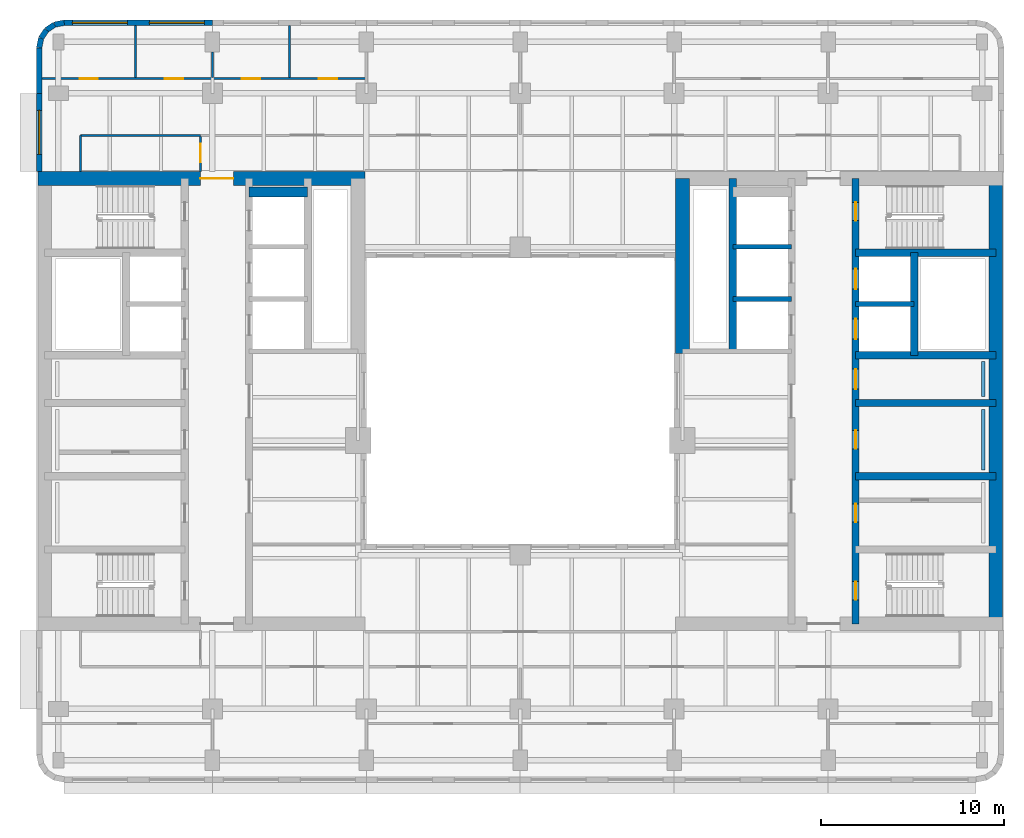
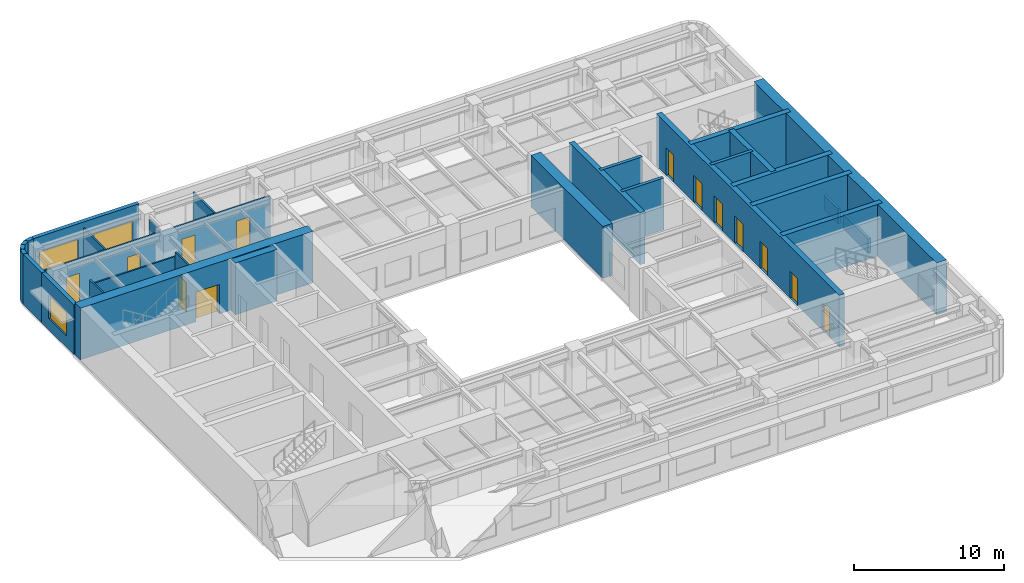
# One storey, part 6 of 11: 30 walls, 13 doors, 3 windows, 16 openings.
"""IFC4 building model written with IfcOpenShell, lengths in metres."""

from ifc_helpers import new_model, si_unit, direction, frame, frame_2d, origin, place, context, subcontext, project, spatial, rectangle, extrude, material, layer, layer_set, type_object, element, fill, save


model = new_model("IFC4")

# Units and contexts
model_context = context("Model", 3, precision=1e-05, world=origin(), true_north=direction((0.0, 1.0)))
body_context = subcontext(model_context, "Body", "Model", "MODEL_VIEW")
ifc_project = project(units=[si_unit("LENGTHUNIT", "METRE"), si_unit("AREAUNIT", "SQUARE_METRE"), si_unit("VOLUMEUNIT", "CUBIC_METRE"), si_unit("PLANEANGLEUNIT", "RADIAN"), si_unit("MASSUNIT", "GRAM", prefix="KILO")], contexts=[model_context])

# Site, building, storey
site_placement = place(None, origin())
site = spatial("IfcSite", under=ifc_project, at=site_placement, CompositionType="ELEMENT")
building_placement = place(site_placement, origin())
building = spatial("IfcBuilding", under=site, at=building_placement, Name="Claustro Exchange Tower", CompositionType="ELEMENT")
storey_placement = place(building_placement, frame((0.0, 0.0, 198.60009765625)))
storey = spatial("IfcBuildingStorey", under=building, at=storey_placement, Name="L45", CompositionType="ELEMENT", Elevation=198.60009765625)

# Wall, openings, doors
ifc_material_1 = material(Name="Laminated glass in aluminium frame", Category="aluminium")
ifc_layer_1 = layer(ifc_material_1, 0.1201171875)
ifc_layer_set_1 = layer_set([ifc_layer_1], Name="Laminated glass in aluminium frame")
wall_type_1 = type_object("IfcWallType", Name="P2 120 glazed partition", PredefinedType="PARTITIONING", material=ifc_layer_set_1)
wall_1_placement = place(storey_placement, frame((-0.902099609375, 42.800048828125, 0.0), z_axis=(0.0, 0.0, 1.0), x_axis=(1.0, 0.0, 0.0)))
wall_1 = element("IfcWall", 1, at=wall_1_placement, inside=storey, type_object=wall_type_1, Name="Partition P2 L45", PredefinedType="PARTITIONING", context=body_context, shape_type="SweptSolid", body=[
    extrude(rectangle(XDim=17.7021484375, YDim=0.1201171875, at=frame_2d((8.85107421875, 0.0))), origin(), (0.0, 0.0, 1.0), 3.559814453125),
])
opening_1_placement = place(wall_1_placement, frame((2.052001953125, 0.0, 0.0)))
opening_1 = element("IfcOpeningElement", 2, at=opening_1_placement, cuts=wall_1, Name="Opening D7", PredefinedType="OPENING", context=body_context, shape_type="SweptSolid", body=[
    extrude(rectangle(XDim=1.0, YDim=2.39990234375, at=frame_2d((0.5, 1.199951171875))), frame((0.0, 0.070068359375, 0.0), z_axis=(0.0, -1.0, 0.0), x_axis=(1.0, 0.0, 0.0)), (0.0, 0.0, 1.0), 0.14013671875),
])
opening_2_placement = place(wall_1_placement, frame((6.701904296875, 0.0, 0.0)))
opening_2 = element("IfcOpeningElement", 3, at=opening_2_placement, cuts=wall_1, Name="Opening D7", PredefinedType="OPENING", context=body_context, shape_type="SweptSolid", body=[
    extrude(rectangle(XDim=1.0, YDim=2.39990234375, at=frame_2d((0.5, 1.199951171875))), frame((0.0, 0.070068359375, 0.0), z_axis=(0.0, -1.0, 0.0), x_axis=(1.0, 0.0, 0.0)), (0.0, 0.0, 1.0), 0.14013671875),
])
opening_3_placement = place(wall_1_placement, frame((10.902099609375, 0.0, 0.0)))
opening_3 = element("IfcOpeningElement", 4, at=opening_3_placement, cuts=wall_1, Name="Opening D7", PredefinedType="OPENING", context=body_context, shape_type="SweptSolid", body=[
    extrude(rectangle(XDim=1.0, YDim=2.39990234375, at=frame_2d((0.5, 1.199951171875))), frame((0.0, 0.070068359375, 0.0), z_axis=(0.0, -1.0, 0.0), x_axis=(1.0, 0.0, 0.0)), (0.0, 0.0, 1.0), 0.14013671875),
])
opening_4_placement = place(wall_1_placement, frame((15.10205078125, 0.0, 0.0)))
opening_4 = element("IfcOpeningElement", 5, at=opening_4_placement, cuts=wall_1, Name="Opening D7", PredefinedType="OPENING", context=body_context, shape_type="SweptSolid", body=[
    extrude(rectangle(XDim=1.0, YDim=2.39990234375, at=frame_2d((0.5, 1.199951171875))), frame((0.0, 0.070068359375, 0.0), z_axis=(0.0, -1.0, 0.0), x_axis=(1.0, 0.0, 0.0)), (0.0, 0.0, 1.0), 0.14013671875),
])
ifc_material_2 = material(Name="Glass door in aluminium frame", Category="aluminium")
door_type_1 = type_object("IfcDoorType", Name="D7 1000 x 2400 glazed door", OperationType="SINGLE_SWING_LEFT", PredefinedType="DOOR", material=ifc_material_2)
door_1_placement = place(opening_1_placement, origin())
door_1 = element("IfcDoor", 6, at=door_1_placement, inside=storey, type_object=door_type_1, Name="Door D7 L45", OperationType="SINGLE_SWING_RIGHT", OverallHeight=2.39990234375, OverallWidth=1.0, PredefinedType="DOOR", context=body_context, shape_type="SweptSolid", body=[
    extrude(rectangle(XDim=1.0, YDim=2.39990234375, at=frame_2d((0.5, 1.199951171875))), frame((0.0, 0.02490234375, 0.0), z_axis=(0.0, -1.0, 0.0), x_axis=(1.0, 0.0, 0.0)), (0.0, 0.0, 1.0), 0.050048828125),
])
fill(opening_1, door_1)
door_2_placement = place(opening_2_placement, origin())
door_2 = element("IfcDoor", 7, at=door_2_placement, inside=storey, type_object=door_type_1, Name="Door D7 L45", OperationType="SINGLE_SWING_LEFT", OverallHeight=2.39990234375, OverallWidth=1.0, PredefinedType="DOOR", context=body_context, shape_type="SweptSolid", body=[
    extrude(rectangle(XDim=1.0, YDim=2.39990234375, at=frame_2d((0.5, 1.199951171875))), frame((0.0, 0.02490234375, 0.0), z_axis=(0.0, -1.0, 0.0), x_axis=(1.0, 0.0, 0.0)), (0.0, 0.0, 1.0), 0.050048828125),
])
fill(opening_2, door_2)
door_3_placement = place(opening_3_placement, origin())
door_3 = element("IfcDoor", 8, at=door_3_placement, inside=storey, type_object=door_type_1, Name="Door D7 L45", OperationType="SINGLE_SWING_LEFT", OverallHeight=2.39990234375, OverallWidth=1.0, PredefinedType="DOOR", context=body_context, shape_type="SweptSolid", body=[
    extrude(rectangle(XDim=1.0, YDim=2.39990234375, at=frame_2d((0.5, 1.199951171875))), frame((0.0, 0.02490234375, 0.0), z_axis=(0.0, -1.0, 0.0), x_axis=(1.0, 0.0, 0.0)), (0.0, 0.0, 1.0), 0.050048828125),
])
fill(opening_3, door_3)
door_4_placement = place(opening_4_placement, origin())
door_4 = element("IfcDoor", 9, at=door_4_placement, inside=storey, type_object=door_type_1, Name="Door D7 L45", OperationType="SINGLE_SWING_LEFT", OverallHeight=2.39990234375, OverallWidth=1.0, PredefinedType="DOOR", context=body_context, shape_type="SweptSolid", body=[
    extrude(rectangle(XDim=1.0, YDim=2.39990234375, at=frame_2d((0.5, 1.199951171875))), frame((0.0, 0.02490234375, 0.0), z_axis=(0.0, -1.0, 0.0), x_axis=(1.0, 0.0, 0.0)), (0.0, 0.0, 1.0), 0.050048828125),
])
fill(opening_4, door_4)

# Walls
wall_2_placement = place(storey_placement, frame((4.199951171875, 42.85791015625, 0.0), z_axis=(0.0, 0.0, 1.0), x_axis=(0.0, 1.0, 0.0)))
element("IfcWall", 10, at=wall_2_placement, inside=storey, type_object=wall_type_1, Name="Partition P2 L45", PredefinedType="PARTITIONING", context=body_context, shape_type="SweptSolid", body=[
    extrude(rectangle(XDim=2.843994140625, YDim=0.1201171875, at=frame_2d((1.421875, 0.0))), origin(), (0.0, 0.0, 1.0), 3.559814453125),
])
wall_3_placement = place(storey_placement, frame((8.39990234375, 42.85791015625, 0.0), z_axis=(0.0, 0.0, 1.0), x_axis=(0.0, 1.0, 0.0)))
element("IfcWall", 11, at=wall_3_placement, inside=storey, type_object=wall_type_1, Name="Partition P2 L45", PredefinedType="PARTITIONING", context=body_context, shape_type="SweptSolid", body=[
    extrude(rectangle(XDim=1.39306640625, YDim=0.1201171875, at=frame_2d((0.696533203125, 0.0))), origin(), (0.0, 0.0, 1.0), 3.68994140625),
])
wall_4_placement = place(storey_placement, frame((12.60009765625, 42.85791015625, 0.0), z_axis=(0.0, 0.0, 1.0), x_axis=(0.0, 1.0, 0.0)))
element("IfcWall", 12, at=wall_4_placement, inside=storey, type_object=wall_type_1, Name="Partition P2 L45", PredefinedType="PARTITIONING", context=body_context, shape_type="SweptSolid", body=[
    extrude(rectangle(XDim=2.843994140625, YDim=0.1201171875, at=frame_2d((1.421875, 0.0))), origin(), (0.0, 0.0, 1.0), 3.559814453125),
])

# Wall, opening, door
wall_5_placement = place(storey_placement, frame((7.75, 37.72412109375, 0.0), z_axis=(0.0, 0.0, 1.0), x_axis=(0.0, 1.0, 0.0)))
wall_5 = element("IfcWall", 13, at=wall_5_placement, inside=storey, type_object=wall_type_1, Name="Partition P2 L45", PredefinedType="PARTITIONING", context=body_context, shape_type="SweptSolid", body=[
    extrude(rectangle(XDim=1.91796875, YDim=0.1201171875, at=frame_2d((0.958984375, 0.0))), origin(), (0.0, 0.0, 1.0), 4.0498046875),
])
opening_5_placement = place(wall_5_placement, frame((0.52587890625, 0.0, 0.0)))
opening_5 = element("IfcOpeningElement", 14, at=opening_5_placement, cuts=wall_5, Name="Opening D7", PredefinedType="OPENING", context=body_context, shape_type="SweptSolid", body=[
    extrude(rectangle(XDim=1.0, YDim=2.39990234375, at=frame_2d((0.5, 1.199951171875))), frame((0.0, 0.070068359375, 0.0), z_axis=(0.0, -1.0, 0.0), x_axis=(1.0, 0.0, 0.0)), (0.0, 0.0, 1.0), 0.14013671875),
])
door_5_placement = place(opening_5_placement, origin())
door_5 = element("IfcDoor", 15, at=door_5_placement, inside=storey, type_object=door_type_1, Name="Door D7 L45", OperationType="SINGLE_SWING_LEFT", OverallHeight=2.39990234375, OverallWidth=1.0, PredefinedType="DOOR", context=body_context, shape_type="SweptSolid", body=[
    extrude(rectangle(XDim=1.0, YDim=2.39990234375, at=frame_2d((0.5, 1.199951171875))), frame((0.0, 0.02490234375, 0.0), z_axis=(0.0, -1.0, 0.0), x_axis=(1.0, 0.0, 0.0)), (0.0, 0.0, 1.0), 0.050048828125),
])
fill(opening_5, door_5)

# Walls
wall_6_placement = place(storey_placement, frame((1.199951171875, 39.699951171875, 0.0), z_axis=(0.0, 0.0, 1.0), x_axis=(1.0, 0.0, 0.0)))
element("IfcWall", 16, at=wall_6_placement, inside=storey, type_object=wall_type_1, Name="Partition P2 L45", PredefinedType="PARTITIONING", context=body_context, shape_type="SweptSolid", body=[
    extrude(rectangle(XDim=6.552001953125, YDim=0.1201171875, at=frame_2d((3.27587890625, 0.0))), origin(), (0.0, 0.0, 1.0), 3.68994140625),
])
wall_7_placement = place(storey_placement, frame((1.199951171875, 37.72412109375, 0.0), z_axis=(0.0, 0.0, 1.0), x_axis=(0.0, 1.0, 0.0)))
element("IfcWall", 17, at=wall_7_placement, inside=storey, type_object=wall_type_1, Name="Partition P2 L45", PredefinedType="PARTITIONING", context=body_context, shape_type="SweptSolid", body=[
    extrude(rectangle(XDim=1.975830078125, YDim=0.1201171875, at=frame_2d((0.98779296875, 0.0))), origin(), (0.0, 0.0, 1.0), 4.0498046875),
])

# Wall, opening, window
ifc_material_3 = material(Name="Concrete HA-40 (C40/50), precast, white cement, acid-etched", Category="concrete")
ifc_layer_2 = layer(ifc_material_3, 0.300048828125)
ifc_layer_set_2 = layer_set([ifc_layer_2], Name="Concrete HA-40 (C40/50), precast, white cement, acid-etched")
wall_type_2 = type_object("IfcWallType", Name="PC1 300 precast concrete pier panel", PredefinedType="SOLIDWALL", material=ifc_layer_set_2)
wall_8_placement = place(storey_placement, frame((-1.050048828125, 37.72509765625, 0.0), z_axis=(0.0, 0.0, 1.0), x_axis=(0.0, 1.0, 0.0)))
wall_8 = element("IfcWall", 18, at=wall_8_placement, inside=storey, type_object=wall_type_2, Name="Precast pier panel PC1 L45", PredefinedType="SOLIDWALL", context=body_context, shape_type="SweptSolid", body=[
    extrude(rectangle(XDim=4.27490234375, YDim=0.300048828125, at=frame_2d((2.137451171875, 0.0))), origin(), (0.0, 0.0, 1.0), 4.0498046875),
])
opening_6_placement = place(wall_8_placement, frame((0.9375, 0.0, 0.89990234375)))
opening_6 = element("IfcOpeningElement", 19, at=opening_6_placement, cuts=wall_8, Name="Opening W2", PredefinedType="OPENING", context=body_context, shape_type="SweptSolid", body=[
    extrude(rectangle(XDim=2.39990234375, YDim=1.89990234375, at=frame_2d((1.199951171875, 0.949951171875))), frame((0.0, 0.159912109375, 0.0), z_axis=(0.0, -1.0, 0.0), x_axis=(1.0, 0.0, 0.0)), (0.0, 0.0, 1.0), 0.320068359375),
])
ifc_material_4 = material(Name="Aluminium frame, clear double glazing", Category="aluminium")
window_type_1 = type_object("IfcWindowType", Name="W2 2400 x 1900 window", PartitioningType="SINGLE_PANEL", PredefinedType="WINDOW", material=ifc_material_4)
window_1_placement = place(opening_6_placement, origin())
window_1 = element("IfcWindow", 20, at=window_1_placement, inside=storey, type_object=window_type_1, Name="Window W2 L45", OverallHeight=1.89990234375, OverallWidth=2.39990234375, PartitioningType="SINGLE_PANEL", PredefinedType="WINDOW", context=body_context, shape_type="SweptSolid", body=[
    extrude(rectangle(XDim=2.39990234375, YDim=1.89990234375, at=frame_2d((1.199951171875, 0.949951171875))), frame((0.0, 0.030029296875, 0.0), z_axis=(0.0, -1.0, 0.0), x_axis=(1.0, 0.0, 0.0)), (0.0, 0.0, 1.0), 0.06005859375),
])
fill(opening_6, window_1)

# Walls
wall_9_placement = place(storey_placement, frame((-1.050048828125, 42.0, 0.0), z_axis=(0.0, 0.0, 1.0), x_axis=(0.0, 1.0, 0.0)))
element("IfcWall", 21, at=wall_9_placement, inside=storey, type_object=wall_type_2, Name="Precast pier panel PC1 L45", PredefinedType="SOLIDWALL", context=body_context, shape_type="SweptSolid", body=[
    extrude(rectangle(XDim=2.485107421875, YDim=0.300048828125, at=frame_2d((1.24267578125, 0.0))), origin(), (0.0, 0.0, 1.0), 4.0498046875),
])
wall_10_placement = place(storey_placement, frame((-1.050048828125, 44.485107421875, 0.0), z_axis=(0.0, 0.0, 1.0), x_axis=(0.195073962632, 0.980788534345, 0.0)))
element("IfcWall", 22, at=wall_10_placement, inside=storey, type_object=wall_type_2, Name="Precast pier panel PC1 L45", PredefinedType="SOLIDWALL", context=body_context, shape_type="SweptSolid", body=[
    extrude(rectangle(XDim=0.540771484375, YDim=0.300048828125, at=frame_2d((0.2705078125, 0.0))), origin(), (0.0, 0.0, 1.0), 4.0498046875),
])
wall_11_placement = place(storey_placement, frame((-0.944580078125, 45.015380859375, 0.0), z_axis=(0.0, 0.0, 1.0), x_axis=(0.55534295404, 0.831621430339, 0.0)))
element("IfcWall", 23, at=wall_11_placement, inside=storey, type_object=wall_type_2, Name="Precast pier panel PC1 L45", PredefinedType="SOLIDWALL", context=body_context, shape_type="SweptSolid", body=[
    extrude(rectangle(XDim=0.52587890625, YDim=0.300048828125, at=frame_2d((0.262939453125, 0.0))), origin(), (0.0, 0.0, 1.0), 4.0498046875),
])
wall_12_placement = place(storey_placement, frame((-0.652587890625, 45.45263671875, 0.0), z_axis=(0.0, 0.0, 1.0), x_axis=(0.831692711774, 0.555236195849, 0.0)))
element("IfcWall", 24, at=wall_12_placement, inside=storey, type_object=wall_type_2, Name="Precast pier panel PC1 L45", PredefinedType="SOLIDWALL", context=body_context, shape_type="SweptSolid", body=[
    extrude(rectangle(XDim=0.525390625, YDim=0.300048828125, at=frame_2d((0.2626953125, 0.0))), origin(), (0.0, 0.0, 1.0), 4.0498046875),
])
wall_13_placement = place(storey_placement, frame((-0.215576171875, 45.744384765625, 0.0), z_axis=(0.0, 0.0, 1.0), x_axis=(0.980702050465, 0.1955082817, 0.0)))
element("IfcWall", 25, at=wall_13_placement, inside=storey, type_object=wall_type_2, Name="Precast pier panel PC1 L45", PredefinedType="SOLIDWALL", context=body_context, shape_type="SweptSolid", body=[
    extrude(rectangle(XDim=0.540771484375, YDim=0.300048828125, at=frame_2d((0.2705078125, 0.0))), origin(), (0.0, 0.0, 1.0), 4.0498046875),
])

# Wall, openings, windows
wall_14_placement = place(storey_placement, frame((0.314697265625, 45.85009765625, 0.0), z_axis=(0.0, 0.0, 1.0), x_axis=(1.0, 0.0, 0.0)))
wall_14 = element("IfcWall", 26, at=wall_14_placement, inside=storey, type_object=wall_type_2, Name="Precast pier panel PC1 L45", PredefinedType="SOLIDWALL", context=body_context, shape_type="SweptSolid", body=[
    extrude(rectangle(XDim=8.085205078125, YDim=0.300048828125, at=frame_2d((4.04248046875, 0.0))), origin(), (0.0, 0.0, 1.0), 4.0498046875),
])
opening_7_placement = place(wall_14_placement, frame((0.442626953125, 0.0, 0.89990234375)))
opening_7 = element("IfcOpeningElement", 27, at=opening_7_placement, cuts=wall_14, Name="Opening W1", PredefinedType="OPENING", context=body_context, shape_type="SweptSolid", body=[
    extrude(rectangle(XDim=3.0, YDim=1.89990234375, at=frame_2d((1.5, 0.949951171875))), frame((0.0, 0.159912109375, 0.0), z_axis=(0.0, -1.0, 0.0), x_axis=(1.0, 0.0, 0.0)), (0.0, 0.0, 1.0), 0.320068359375),
])
opening_8_placement = place(wall_14_placement, frame((4.642578125, 0.0, 0.89990234375)))
opening_8 = element("IfcOpeningElement", 28, at=opening_8_placement, cuts=wall_14, Name="Opening W1", PredefinedType="OPENING", context=body_context, shape_type="SweptSolid", body=[
    extrude(rectangle(XDim=3.0, YDim=1.89990234375, at=frame_2d((1.5, 0.949951171875))), frame((0.0, 0.159912109375, 0.0), z_axis=(0.0, -1.0, 0.0), x_axis=(1.0, 0.0, 0.0)), (0.0, 0.0, 1.0), 0.320068359375),
])
ifc_material_5 = material(Name="Aluminium frame, clear double glazing", Category="aluminium")
window_type_2 = type_object("IfcWindowType", Name="W1 3000 x 1900 window", PartitioningType="SINGLE_PANEL", PredefinedType="WINDOW", material=ifc_material_5)
window_2_placement = place(opening_7_placement, origin())
window_2 = element("IfcWindow", 29, at=window_2_placement, inside=storey, type_object=window_type_2, Name="Window W1 L45", OverallHeight=1.89990234375, OverallWidth=3.0, PartitioningType="SINGLE_PANEL", PredefinedType="WINDOW", context=body_context, shape_type="SweptSolid", body=[
    extrude(rectangle(XDim=3.0, YDim=1.89990234375, at=frame_2d((1.5, 0.949951171875))), frame((0.0, 0.030029296875, 0.0), z_axis=(0.0, -1.0, 0.0), x_axis=(1.0, 0.0, 0.0)), (0.0, 0.0, 1.0), 0.06005859375),
])
fill(opening_7, window_2)
window_3_placement = place(opening_8_placement, origin())
window_3 = element("IfcWindow", 30, at=window_3_placement, inside=storey, type_object=window_type_2, Name="Window W1 L45", OverallHeight=1.89990234375, OverallWidth=3.0, PartitioningType="SINGLE_PANEL", PredefinedType="WINDOW", context=body_context, shape_type="SweptSolid", body=[
    extrude(rectangle(XDim=3.0, YDim=1.89990234375, at=frame_2d((1.5, 0.949951171875))), frame((0.0, 0.030029296875, 0.0), z_axis=(0.0, -1.0, 0.0), x_axis=(1.0, 0.0, 0.0)), (0.0, 0.0, 1.0), 0.06005859375),
])
fill(opening_8, window_3)

# Walls
ifc_material_6 = material(Name="Gypsum board on steel studs, tiled", Category="steel")
ifc_layer_3 = layer(ifc_material_6, 0.199951171875)
ifc_layer_set_3 = layer_set([ifc_layer_3], Name="Gypsum board on steel studs, tiled")
wall_type_3 = type_object("IfcWallType", Name="PW1 200 WC duct wall", PredefinedType="PLUMBINGWALL", material=ifc_layer_set_3)
wall_15_placement = place(storey_placement, frame((50.47509765625, 21.449951171875, 0.0), z_axis=(0.0, 0.0, 1.0), x_axis=(0.0, 1.0, 0.0)))
element("IfcWall", 31, at=wall_15_placement, inside=storey, type_object=wall_type_3, Name="WC duct wall PW1 L45", PredefinedType="PLUMBINGWALL", context=body_context, shape_type="SweptSolid", body=[
    extrude(rectangle(XDim=3.300048828125, YDim=0.199951171875, at=frame_2d((1.64990234375, 0.0))), origin(), (0.0, 0.0, 1.0), 1.199951171875),
])
wall_16_placement = place(storey_placement, frame((50.47509765625, 25.449951171875, 0.0), z_axis=(0.0, 0.0, 1.0), x_axis=(0.0, 1.0, 0.0)))
element("IfcWall", 32, at=wall_16_placement, inside=storey, type_object=wall_type_3, Name="WC duct wall PW1 L45", PredefinedType="PLUMBINGWALL", context=body_context, shape_type="SweptSolid", body=[
    extrude(rectangle(XDim=1.900146484375, YDim=0.199951171875, at=frame_2d((0.9501953125, 0.0))), origin(), (0.0, 0.0, 1.0), 1.199951171875),
])

# Wall, opening, door
ifc_material_7 = material(Name="Concrete HA-70 (C70/85)", Category="concrete")
ifc_layer_4 = layer(ifc_material_7, 0.75)
ifc_layer_set_4 = layer_set([ifc_layer_4], Name="Concrete HA-70 (C70/85)")
wall_type_4 = type_object("IfcWallType", Name="SW2 750 core shear wall", PredefinedType="SHEAR", material=ifc_layer_set_4)
wall_17_placement = place(storey_placement, frame((-1.125, 37.35009765625, 0.0), z_axis=(0.0, 0.0, 1.0), x_axis=(1.0, 0.0, 0.0)))
wall_17 = element("IfcWall", 33, at=wall_17_placement, inside=storey, type_object=wall_type_4, Name="Core wall SW2 W core N face L45", PredefinedType="SHEAR", context=body_context, shape_type="SweptSolid", body=[
    extrude(rectangle(XDim=17.85009765625, YDim=0.75, at=frame_2d((8.925048828125, 0.0))), origin(), (0.0, 0.0, 1.0), 4.199951171875),
])
opening_9_placement = place(wall_17_placement, frame((8.875, 0.0, 0.0)))
opening_9 = element("IfcOpeningElement", 34, at=opening_9_placement, cuts=wall_17, Name="Opening D3", PredefinedType="OPENING", context=body_context, shape_type="SweptSolid", body=[
    extrude(rectangle(XDim=1.800048828125, YDim=2.39990234375, at=frame_2d((0.89990234375, 1.199951171875))), frame((0.0, 0.385009765625, 0.0), z_axis=(0.0, -1.0, 0.0), x_axis=(1.0, 0.0, 0.0)), (0.0, 0.0, 1.0), 0.77001953125),
])
ifc_material_8 = material(Name="Steel fire door, painted", Category="steel")
door_type_2 = type_object("IfcDoorType", Name="D3 1800 x 2400 fire-rated lobby double door", OperationType="DOUBLE_DOOR_SINGLE_SWING", PredefinedType="DOOR", material=ifc_material_8)
door_6_placement = place(opening_9_placement, frame((1.800048828125, 0.0, 0.0), z_axis=(0.0, 0.0, 1.0), x_axis=(-1.0, 0.0, 0.0)))
door_6 = element("IfcDoor", 35, at=door_6_placement, inside=storey, type_object=door_type_2, Name="Lift lobby door D3 L45", OperationType="DOUBLE_DOOR_SINGLE_SWING", OverallHeight=2.39990234375, OverallWidth=1.800048828125, PredefinedType="DOOR", context=body_context, shape_type="SweptSolid", body=[
    extrude(rectangle(XDim=1.800048828125, YDim=2.39990234375, at=frame_2d((0.89990234375, 1.199951171875))), frame((0.0, 0.02490234375, 0.0), z_axis=(0.0, -1.0, 0.0), x_axis=(1.0, 0.0, 0.0)), (0.0, 0.0, 1.0), 0.050048828125),
])
fill(opening_9, door_6)

# Walls
ifc_material_9 = material(Name="Concrete HA-70 (C70/85)", Category="concrete")
ifc_layer_5 = layer(ifc_material_9, 0.75)
ifc_layer_set_5 = layer_set([ifc_layer_5], Name="Concrete HA-70 (C70/85)")
wall_type_5 = type_object("IfcWallType", Name="SW2X 750 exposed core shear wall, board-marked face", PredefinedType="SHEAR", material=ifc_layer_set_5)
wall_18_placement = place(storey_placement, frame((34.050048828125, 27.800048828125, 0.0), z_axis=(0.0, 0.0, 1.0), x_axis=(0.0, 1.0, 0.0)))
element("IfcWall", 36, at=wall_18_placement, inside=storey, type_object=wall_type_5, Name="Core wall SW2X E core W face L45", PredefinedType="SHEAR", context=body_context, shape_type="SweptSolid", body=[
    extrude(rectangle(XDim=9.550048828125, YDim=0.75, at=frame_2d((4.77490234375, 0.0))), origin(), (0.0, 0.0, 1.0), 4.199951171875),
])
wall_19_placement = place(storey_placement, frame((51.14990234375, 13.050048828125, 0.0), z_axis=(0.0, 0.0, 1.0), x_axis=(0.0, 1.0, 0.0)))
element("IfcWall", 37, at=wall_19_placement, inside=storey, type_object=wall_type_5, Name="Core wall SW2X E core E face L45", PredefinedType="SHEAR", context=body_context, shape_type="SweptSolid", body=[
    extrude(rectangle(XDim=24.300048828125, YDim=0.75, at=frame_2d((12.14990234375, 0.0))), origin(), (0.0, 0.0, 1.0), 4.199951171875),
])

# Wall, openings, doors
ifc_material_10 = material(Name="Concrete HA-50 (C50/60)", Category="concrete")
ifc_layer_6 = layer(ifc_material_10, 0.39990234375)
ifc_layer_set_6 = layer_set([ifc_layer_6], Name="Concrete HA-50 (C50/60)")
wall_type_6 = type_object("IfcWallType", Name="SW4 400 internal core wall", PredefinedType="SHEAR", material=ifc_layer_set_6)
wall_20_placement = place(storey_placement, frame((43.5, 13.050048828125, 0.0), z_axis=(0.0, 0.0, 1.0), x_axis=(0.0, 1.0, 0.0)))
wall_20 = element("IfcWall", 38, at=wall_20_placement, inside=storey, type_object=wall_type_6, Name="Internal core wall SW4 E core L45", PredefinedType="SHEAR", context=body_context, shape_type="SweptSolid", body=[
    extrude(rectangle(XDim=24.300048828125, YDim=0.39990234375, at=frame_2d((12.14990234375, 0.0))), origin(), (0.0, 0.0, 1.0), 4.199951171875),
])
opening_10_placement = place(wall_20_placement, frame((1.300048828125, 0.0, 0.0)))
opening_10 = element("IfcOpeningElement", 39, at=opening_10_placement, cuts=wall_20, Name="Opening D4", PredefinedType="OPENING", context=body_context, shape_type="SweptSolid", body=[
    extrude(rectangle(XDim=1.0, YDim=2.199951171875, at=frame_2d((0.5, 1.10009765625))), frame((0.0, 0.2099609375, 0.0), z_axis=(0.0, -1.0, 0.0), x_axis=(1.0, 0.0, 0.0)), (0.0, 0.0, 1.0), 0.419921875),
])
opening_11_placement = place(wall_20_placement, frame((22.0, 0.0, 0.0)))
opening_11 = element("IfcOpeningElement", 40, at=opening_11_placement, cuts=wall_20, Name="Opening D4", PredefinedType="OPENING", context=body_context, shape_type="SweptSolid", body=[
    extrude(rectangle(XDim=1.0, YDim=2.199951171875, at=frame_2d((0.5, 1.10009765625))), frame((0.0, 0.2099609375, 0.0), z_axis=(0.0, -1.0, 0.0), x_axis=(1.0, 0.0, 0.0)), (0.0, 0.0, 1.0), 0.419921875),
])
opening_12_placement = place(wall_20_placement, frame((5.550048828125, 0.0, 0.0)))
opening_12 = element("IfcOpeningElement", 41, at=opening_12_placement, cuts=wall_20, Name="Opening D1", PredefinedType="OPENING", context=body_context, shape_type="SweptSolid", body=[
    extrude(rectangle(XDim=1.0, YDim=2.199951171875, at=frame_2d((0.5, 1.10009765625))), frame((0.0, 0.2099609375, 0.0), z_axis=(0.0, -1.0, 0.0), x_axis=(1.0, 0.0, 0.0)), (0.0, 0.0, 1.0), 0.419921875),
])
opening_13_placement = place(wall_20_placement, frame((9.550048828125, 0.0, 0.0)))
opening_13 = element("IfcOpeningElement", 42, at=opening_13_placement, cuts=wall_20, Name="Opening D1", PredefinedType="OPENING", context=body_context, shape_type="SweptSolid", body=[
    extrude(rectangle(XDim=1.0, YDim=2.199951171875, at=frame_2d((0.5, 1.10009765625))), frame((0.0, 0.2099609375, 0.0), z_axis=(0.0, -1.0, 0.0), x_axis=(1.0, 0.0, 0.0)), (0.0, 0.0, 1.0), 0.419921875),
])
opening_14_placement = place(wall_20_placement, frame((12.800048828125, 0.0, 0.0)))
opening_14 = element("IfcOpeningElement", 43, at=opening_14_placement, cuts=wall_20, Name="Opening D10", PredefinedType="OPENING", context=body_context, shape_type="SweptSolid", body=[
    extrude(rectangle(XDim=1.10009765625, YDim=2.199951171875, at=frame_2d((0.550048828125, 1.10009765625))), frame((0.0, 0.2099609375, 0.0), z_axis=(0.0, -1.0, 0.0), x_axis=(1.0, 0.0, 0.0)), (0.0, 0.0, 1.0), 0.419921875),
])
opening_15_placement = place(wall_20_placement, frame((15.53759765625, 0.0, 0.0)))
opening_15 = element("IfcOpeningElement", 44, at=opening_15_placement, cuts=wall_20, Name="Opening LD", PredefinedType="OPENING", context=body_context, shape_type="SweptSolid", body=[
    extrude(rectangle(XDim=1.10009765625, YDim=2.199951171875, at=frame_2d((0.550048828125, 1.10009765625))), frame((0.0, 0.2099609375, 0.0), z_axis=(0.0, -1.0, 0.0), x_axis=(1.0, 0.0, 0.0)), (0.0, 0.0, 1.0), 0.419921875),
])
opening_16_placement = place(wall_20_placement, frame((18.262451171875, 0.0, 0.0)))
opening_16 = element("IfcOpeningElement", 45, at=opening_16_placement, cuts=wall_20, Name="Opening LD", PredefinedType="OPENING", context=body_context, shape_type="SweptSolid", body=[
    extrude(rectangle(XDim=1.10009765625, YDim=2.199951171875, at=frame_2d((0.550048828125, 1.10009765625))), frame((0.0, 0.2099609375, 0.0), z_axis=(0.0, -1.0, 0.0), x_axis=(1.0, 0.0, 0.0)), (0.0, 0.0, 1.0), 0.419921875),
])
ifc_material_11 = material(Name="Timber door, oak veneer", Category="wood")
door_type_3 = type_object("IfcDoorType", Name="D1 1000 x 2200 single door", OperationType="SINGLE_SWING_LEFT", PredefinedType="DOOR", material=ifc_material_11)
door_7_placement = place(opening_12_placement, frame((1.0, 0.0, 0.0), z_axis=(0.0, 0.0, 1.0), x_axis=(-1.0, 0.0, 0.0)))
door_7 = element("IfcDoor", 46, at=door_7_placement, inside=storey, type_object=door_type_3, Name="Door D1 L45", OperationType="SINGLE_SWING_LEFT", OverallHeight=2.199951171875, OverallWidth=1.0, PredefinedType="DOOR", context=body_context, shape_type="SweptSolid", body=[
    extrude(rectangle(XDim=1.0, YDim=2.199951171875, at=frame_2d((0.5, 1.10009765625))), frame((0.0, 0.02490234375, 0.0), z_axis=(0.0, -1.0, 0.0), x_axis=(1.0, 0.0, 0.0)), (0.0, 0.0, 1.0), 0.050048828125),
])
fill(opening_12, door_7)
door_8_placement = place(opening_13_placement, frame((1.0, 0.0, 0.0), z_axis=(0.0, 0.0, 1.0), x_axis=(-1.0, 0.0, 0.0)))
door_8 = element("IfcDoor", 47, at=door_8_placement, inside=storey, type_object=door_type_3, Name="Door D1 L45", OperationType="SINGLE_SWING_LEFT", OverallHeight=2.199951171875, OverallWidth=1.0, PredefinedType="DOOR", context=body_context, shape_type="SweptSolid", body=[
    extrude(rectangle(XDim=1.0, YDim=2.199951171875, at=frame_2d((0.5, 1.10009765625))), frame((0.0, 0.02490234375, 0.0), z_axis=(0.0, -1.0, 0.0), x_axis=(1.0, 0.0, 0.0)), (0.0, 0.0, 1.0), 0.050048828125),
])
fill(opening_13, door_8)
ifc_material_12 = material(Name="Timber door, oak veneer", Category="wood")
door_type_4 = type_object("IfcDoorType", Name="D10 1100 x 2200 accessible WC door", OperationType="SINGLE_SWING_LEFT", PredefinedType="DOOR", material=ifc_material_12)
door_9_placement = place(opening_14_placement, origin())
door_9 = element("IfcDoor", 48, at=door_9_placement, inside=storey, type_object=door_type_4, Name="Accessible WC door D10 L45", OperationType="SINGLE_SWING_RIGHT", OverallHeight=2.199951171875, OverallWidth=1.10009765625, PredefinedType="DOOR", context=body_context, shape_type="SweptSolid", body=[
    extrude(rectangle(XDim=1.10009765625, YDim=2.199951171875, at=frame_2d((0.550048828125, 1.10009765625))), frame((0.0, 0.02490234375, 0.0), z_axis=(0.0, -1.0, 0.0), x_axis=(1.0, 0.0, 0.0)), (0.0, 0.0, 1.0), 0.050048828125),
])
fill(opening_14, door_9)
ifc_material_13 = material(Name="Steel fire door, painted", Category="steel")
door_type_5 = type_object("IfcDoorType", Name="D4 1000 x 2200 fire-rated stair door", OperationType="SINGLE_SWING_LEFT", PredefinedType="DOOR", material=ifc_material_13)
door_10_placement = place(opening_10_placement, frame((1.0, 0.0, 0.0), z_axis=(0.0, 0.0, 1.0), x_axis=(-1.0, 0.0, 0.0)))
door_10 = element("IfcDoor", 49, at=door_10_placement, inside=storey, type_object=door_type_5, Name="Stair door D4 L45", OperationType="SINGLE_SWING_RIGHT", OverallHeight=2.199951171875, OverallWidth=1.0, PredefinedType="DOOR", context=body_context, shape_type="SweptSolid", body=[
    extrude(rectangle(XDim=1.0, YDim=2.199951171875, at=frame_2d((0.5, 1.10009765625))), frame((0.0, 0.02490234375, 0.0), z_axis=(0.0, -1.0, 0.0), x_axis=(1.0, 0.0, 0.0)), (0.0, 0.0, 1.0), 0.050048828125),
])
fill(opening_10, door_10)
door_11_placement = place(opening_11_placement, frame((1.0, 0.0, 0.0), z_axis=(0.0, 0.0, 1.0), x_axis=(-1.0, 0.0, 0.0)))
door_11 = element("IfcDoor", 50, at=door_11_placement, inside=storey, type_object=door_type_5, Name="Stair door D4 L45", OperationType="SINGLE_SWING_LEFT", OverallHeight=2.199951171875, OverallWidth=1.0, PredefinedType="DOOR", context=body_context, shape_type="SweptSolid", body=[
    extrude(rectangle(XDim=1.0, YDim=2.199951171875, at=frame_2d((0.5, 1.10009765625))), frame((0.0, 0.02490234375, 0.0), z_axis=(0.0, -1.0, 0.0), x_axis=(1.0, 0.0, 0.0)), (0.0, 0.0, 1.0), 0.050048828125),
])
fill(opening_11, door_11)
ifc_material_14 = material(Name="Stainless steel sliding door", Category="steel")
door_type_6 = type_object("IfcDoorType", Name="LD 1100 x 2200 lift landing door", OperationType="DOUBLE_DOOR_SLIDING", PredefinedType="DOOR", material=ifc_material_14)
door_12_placement = place(opening_15_placement, origin())
door_12 = element("IfcDoor", 51, at=door_12_placement, inside=storey, type_object=door_type_6, Name="Lift landing door LEE1 LD L45", OperationType="DOUBLE_DOOR_SLIDING", OverallHeight=2.199951171875, OverallWidth=1.10009765625, PredefinedType="DOOR", context=body_context, shape_type="SweptSolid", body=[
    extrude(rectangle(XDim=1.10009765625, YDim=2.199951171875, at=frame_2d((0.550048828125, 1.10009765625))), frame((0.0, 0.02490234375, 0.0), z_axis=(0.0, -1.0, 0.0), x_axis=(1.0, 0.0, 0.0)), (0.0, 0.0, 1.0), 0.050048828125),
])
fill(opening_15, door_12)
door_13_placement = place(opening_16_placement, origin())
door_13 = element("IfcDoor", 52, at=door_13_placement, inside=storey, type_object=door_type_6, Name="Lift landing door LEE2 LD L45", OperationType="DOUBLE_DOOR_SLIDING", OverallHeight=2.199951171875, OverallWidth=1.10009765625, PredefinedType="DOOR", context=body_context, shape_type="SweptSolid", body=[
    extrude(rectangle(XDim=1.10009765625, YDim=2.199951171875, at=frame_2d((0.550048828125, 1.10009765625))), frame((0.0, 0.02490234375, 0.0), z_axis=(0.0, -1.0, 0.0), x_axis=(1.0, 0.0, 0.0)), (0.0, 0.0, 1.0), 0.050048828125),
])
fill(opening_16, door_13)

# Walls
wall_21_placement = place(storey_placement, frame((36.800048828125, 27.925048828125, 0.0), z_axis=(0.0, 0.0, 1.0), x_axis=(0.0, 1.0, 0.0)))
element("IfcWall", 53, at=wall_21_placement, inside=storey, type_object=wall_type_6, Name="Internal core wall SW4 E core L45", PredefinedType="SHEAR", context=body_context, shape_type="SweptSolid", body=[
    extrude(rectangle(XDim=9.425048828125, YDim=0.39990234375, at=frame_2d((4.71240234375, 0.0))), origin(), (0.0, 0.0, 1.0), 4.199951171875),
])
for number, where, z_axis, x_axis, name in (
    (54, (51.14990234375, 21.10009765625, 0.0), (0.0, 0.0, 1.0), (-1.0, 0.0, 0.0), "Internal core wall SW4 E core L45"),
    (55, (51.14990234375, 25.10009765625, 0.0), (0.0, 0.0, 1.0), (-1.0, 0.0, 0.0), "Internal core wall SW4 E core L45"),
    (56, (51.14990234375, 27.699951171875, 0.0), (0.0, 0.0, 1.0), (-1.0, 0.0, 0.0), "Internal core wall SW4 E core L45"),
    (57, (51.14990234375, 33.300048828125, 0.0), (0.0, 0.0, 1.0), (-1.0, 0.0, 0.0), "Internal core wall SW4 E core L45"),
):
    element("IfcWall", number, at=place(storey_placement, frame(where, z_axis=z_axis, x_axis=x_axis)), inside=storey, type_object=wall_type_6, Name=name, PredefinedType="SHEAR", context=body_context, shape_type="SweptSolid", body=[
        extrude(rectangle(XDim=7.64990234375, YDim=0.39990234375, at=frame_2d((3.824951171875, 0.0))), origin(), (0.0, 0.0, 1.0), 4.199951171875),
    ])
wall_22_placement = place(storey_placement, frame((46.699951171875, 27.699951171875, 0.0), z_axis=(0.0, 0.0, 1.0), x_axis=(0.0, 1.0, 0.0)))
element("IfcWall", 58, at=wall_22_placement, inside=storey, type_object=wall_type_6, Name="Internal core wall SW4 E core L45", PredefinedType="SHEAR", context=body_context, shape_type="SweptSolid", body=[
    extrude(rectangle(XDim=5.60009765625, YDim=0.39990234375, at=frame_2d((2.800048828125, 0.0))), origin(), (0.0, 0.0, 1.0), 4.199951171875),
])
ifc_material_15 = material(Name="Concrete HA-50 (C50/60)", Category="concrete")
ifc_layer_7 = layer(ifc_material_15, 0.25)
ifc_layer_set_7 = layer_set([ifc_layer_7], Name="Concrete HA-50 (C50/60)")
wall_type_7 = type_object("IfcWallType", Name="SW5 250 lift shaft divider wall", PredefinedType="SHEAR", material=ifc_layer_set_7)
for number, where, z_axis, x_axis, name in (
    (59, (46.699951171875, 30.5, 0.0), (0.0, 0.0, 1.0), (-1.0, 0.0, 0.0), "Lift shaft wall E core L45"),
    (60, (40.0, 30.77490234375, 0.0), (0.0, 0.0, 1.0), (-1.0, 0.0, 0.0), "Lift shaft wall E core L45"),
    (61, (40.0, 33.625, 0.0), (0.0, 0.0, 1.0), (-1.0, 0.0, 0.0), "Lift shaft wall E core L45"),
):
    element("IfcWall", number, at=place(storey_placement, frame(where, z_axis=z_axis, x_axis=x_axis)), inside=storey, type_object=wall_type_7, Name=name, PredefinedType="SHEAR", context=body_context, shape_type="SweptSolid", body=[
        extrude(rectangle(XDim=3.199951171875, YDim=0.25, at=frame_2d((1.60009765625, 0.0))), origin(), (0.0, 0.0, 1.0), 4.199951171875),
    ])
ifc_material_16 = material(Name="Concrete HA-50 (C50/60)", Category="concrete")
ifc_layer_8 = layer(ifc_material_16, 0.550048828125)
ifc_layer_set_8 = layer_set([ifc_layer_8], Name="Concrete HA-50 (C50/60)")
wall_type_8 = type_object("IfcWallType", Name="SW6 550 lift shaft end wall", PredefinedType="SHEAR", material=ifc_layer_set_8)
wall_23_placement = place(storey_placement, frame((10.39990234375, 36.625, 0.0), z_axis=(0.0, 0.0, 1.0), x_axis=(1.0, 0.0, 0.0)))
element("IfcWall", 62, at=wall_23_placement, inside=storey, type_object=wall_type_8, Name="Lift shaft wall W core L45", PredefinedType="SHEAR", context=body_context, shape_type="SweptSolid", body=[
    extrude(rectangle(XDim=3.2001953125, YDim=0.550048828125, at=frame_2d((1.60009765625, 0.0))), origin(), (0.0, 0.0, 1.0), 4.199951171875),
])

save(model, "model.ifc")
